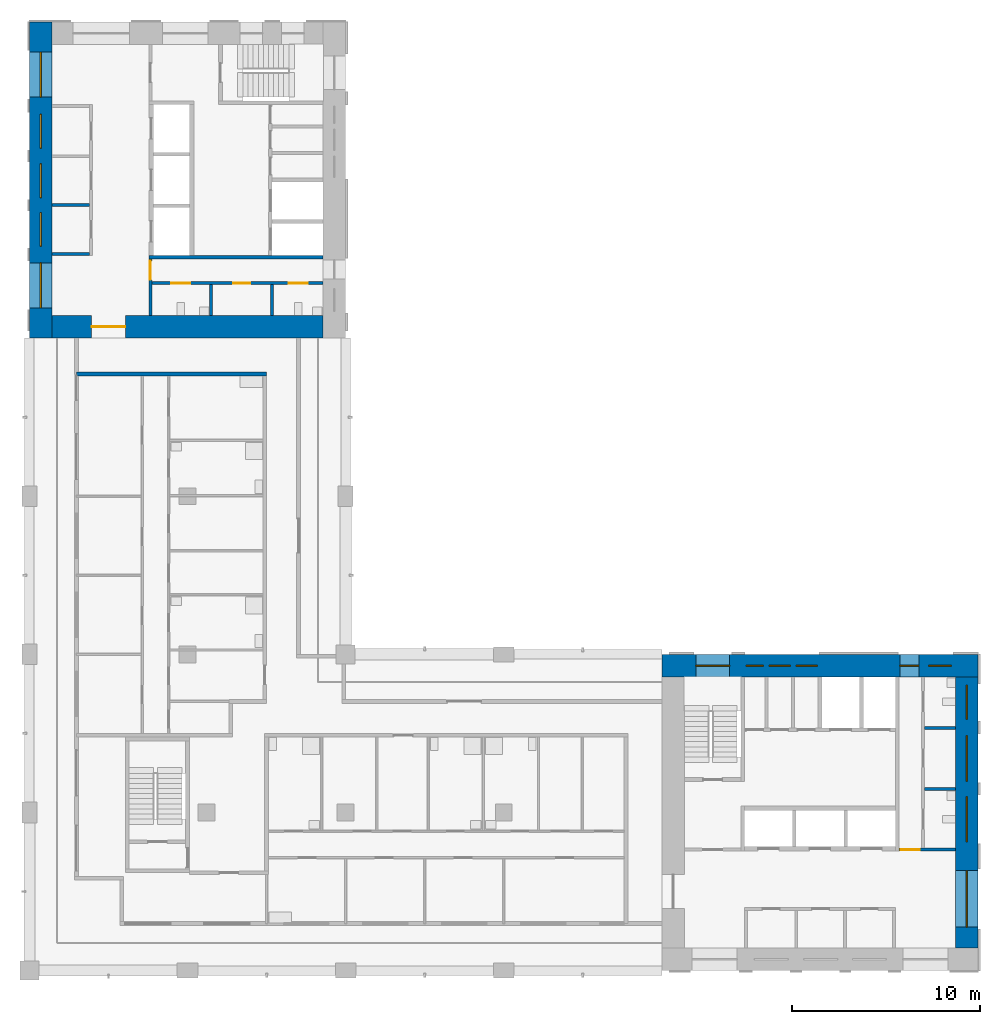
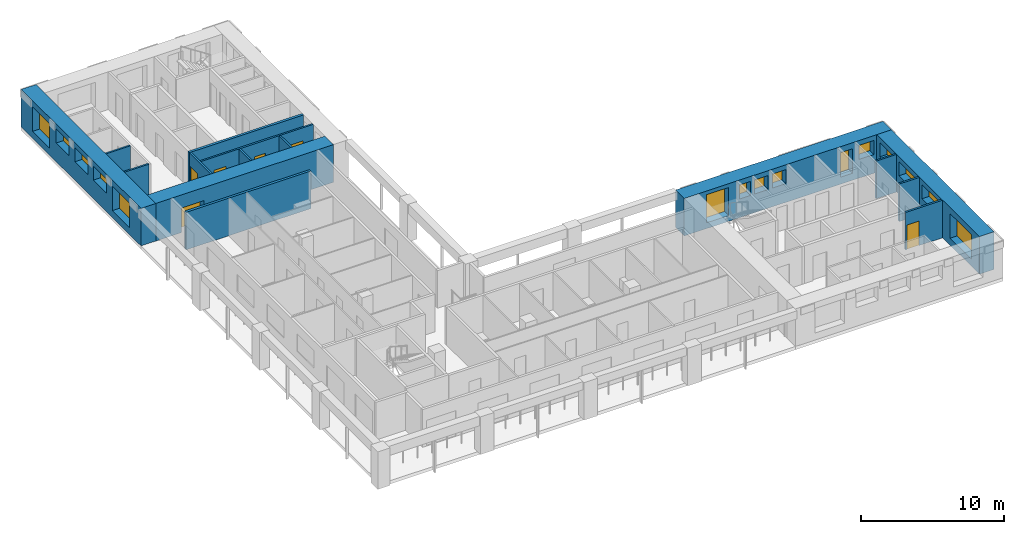
# One storey, part 5 of 10: 15 walls, 15 windows, 6 doors, 21 openings.
"""IFC4 building model written with IfcOpenShell, lengths in metres."""

import ifcopenshell
import ifcopenshell.guid

model = None  # the IFC model being written
_history = None  # IfcOwnerHistory: only IFC2X3 demands one
_inside = {}  # id of a spatial element -> (the spatial element, [elements in it])
_under = {}  # id of a project, library or spatial element -> (it, [spatial elements below it])
_declared = {}  # id of a project -> (the project, [libraries it declares])
_typed = {}  # id of a type object -> (the type object, [elements of that type])
_made_of = {}  # id of a material, layer set ... -> (it, [elements and type objects made of it])


def new_model(schema):
    """Start an empty IFC model of exactly this schema.

    Asked for "IFC4X3", IfcOpenShell would pick the latest addendum, in which some entities
    have other attributes; the version numbers below select the first issue.
    IFC2X3 requires an IfcOwnerHistory on every rooted entity: one is made here for all.
    """
    global model, _history
    if schema == "IFC4X3":
        model = ifcopenshell.file(schema_version=(4, 3, 0, 0))
    else:
        model = ifcopenshell.file(schema=schema)
    _inside.clear()
    _under.clear()
    _declared.clear()
    _typed.clear()
    _made_of.clear()
    _history = None
    if model.schema == "IFC2X3":
        org = make("IfcOrganization", Name="unknown")
        user = make(
            "IfcPersonAndOrganization",
            ThePerson=make("IfcPerson", FamilyName="unknown"),
            TheOrganization=org,
        )
        app = make(
            "IfcApplication",
            ApplicationDeveloper=org,
            Version="unknown",
            ApplicationFullName="unknown",
            ApplicationIdentifier="unknown",
        )
        _history = make(
            "IfcOwnerHistory",
            OwningUser=user,
            OwningApplication=app,
            ChangeAction="ADDED",
            CreationDate=0,
        )
    return model


def make(cls, **values):
    """One entity of the class cls with the attributes given. An attribute that is None is left unset."""
    return model.create_entity(
        cls, **{name: value for name, value in values.items() if value is not None}
    )


def rooted(cls, **values):
    """An entity with a GlobalId (a new one), such as an element, a storey or a relation."""
    return make(cls, GlobalId=ifcopenshell.guid.new(), OwnerHistory=_history, **values)


def si_unit(unit_type, name, prefix=None):
    """IfcSIUnit, for example si_unit("LENGTHUNIT", "METRE", prefix="MILLI")."""
    return make("IfcSIUnit", UnitType=unit_type, Prefix=prefix, Name=name)


def assignment(units):
    """IfcUnitAssignment: the units of a project."""
    return None if units is None else make("IfcUnitAssignment", Units=units)


def point(xyz):
    """IfcCartesianPoint."""
    return None if xyz is None else make("IfcCartesianPoint", Coordinates=xyz)


def direction(xyz):
    """IfcDirection."""
    return None if xyz is None else make("IfcDirection", DirectionRatios=xyz)


def frame(location, z_axis=None, x_axis=None):
    """IfcAxis2Placement3D, a coordinate frame: its origin and axes. An axis left out is left unset."""
    return make(
        "IfcAxis2Placement3D",
        Location=point(location),
        Axis=direction(z_axis),
        RefDirection=direction(x_axis),
    )


def frame_2d(location, x_axis=None):
    """IfcAxis2Placement2D, a coordinate frame in the plane: its origin and x axis."""
    return make(
        "IfcAxis2Placement2D", Location=point(location), RefDirection=direction(x_axis)
    )


def origin():
    """The frame at (0, 0, 0) with its axes left unset."""
    return frame((0.0, 0.0, 0.0))


def place(relative_to, where):
    """IfcLocalPlacement: puts the frame where relative to a parent placement (None: the world)."""
    return make(
        "IfcLocalPlacement", PlacementRelTo=relative_to, RelativePlacement=where
    )


def context(
    kind, dimensions, precision=None, world=None, true_north=None, identifier=None
):
    """IfcGeometricRepresentationContext, for example the 3D "Model" context."""
    return make(
        "IfcGeometricRepresentationContext",
        ContextIdentifier=identifier,
        ContextType=kind,
        CoordinateSpaceDimension=dimensions,
        Precision=precision,
        WorldCoordinateSystem=world,
        TrueNorth=true_north,
    )


def subcontext(parent, identifier, kind, view, scale=None):
    """IfcGeometricRepresentationSubContext, for example "Body" below "Model"."""
    return make(
        "IfcGeometricRepresentationSubContext",
        ContextIdentifier=identifier,
        ContextType=kind,
        ParentContext=parent,
        TargetScale=scale,
        TargetView=view,
    )


def project(units=None, contexts=None):
    """IfcProject with its units and contexts."""
    return rooted(
        "IfcProject",
        Name="project",
        RepresentationContexts=contexts,
        UnitsInContext=assignment(units),
    )


def spatial(cls, under=None, at=None, **own):
    """A site, building, storey or space (cls), placed at a placement, below another one or the project."""
    s = rooted(cls, ObjectPlacement=at, **own)
    if under is not None:
        _under.setdefault(under.id(), (under, []))[1].append(s)
    return s


def profile(cls, at=None, kind="AREA", **sizes):
    """A parametric profile (cls). Its sizes go by their IFC names, for example OverallWidth=200.0."""
    return make(cls, ProfileType=kind, Position=at, **sizes)


def rectangle(**sizes):
    """IfcRectangleProfileDef."""
    return profile("IfcRectangleProfileDef", **sizes)


def extrude(swept, where, along, depth):
    """IfcExtrudedAreaSolid: the profile swept, set in the frame where, extruded along a direction by depth."""
    return make(
        "IfcExtrudedAreaSolid",
        SweptArea=swept,
        Position=where,
        ExtrudedDirection=direction(along),
        Depth=depth,
    )


def shape(context_of_items, identifier, shape_type, items):
    """IfcShapeRepresentation: the items that make up one representation, for example the "Body"."""
    return make(
        "IfcShapeRepresentation",
        ContextOfItems=context_of_items,
        RepresentationIdentifier=identifier,
        RepresentationType=shape_type,
        Items=items,
    )


def material(Name=None, Category=None):
    """IfcMaterial."""
    return make("IfcMaterial", Name=Name, Category=Category)


def layer(
    of_material, thickness, ventilated=None, Name=None, Category=None, Priority=None
):
    """IfcMaterialLayer: one layer of a wall or slab, of a material (None: an air gap)."""
    return make(
        "IfcMaterialLayer",
        Material=of_material,
        LayerThickness=thickness,
        IsVentilated=ventilated,
        Name=Name,
        Category=Category,
        Priority=Priority,
    )


def layer_set(layers, Name=None):
    """IfcMaterialLayerSet."""
    return make("IfcMaterialLayerSet", MaterialLayers=layers, LayerSetName=Name)


def made_of(thing, what):
    """Note that an element or type object is made of a material, layer set ...; save() writes the relation."""
    if what is not None:
        _made_of.setdefault(what.id(), (what, []))[1].append(thing)
    return thing


def type_object(cls, material=None, **own):
    """A type object (cls), such as IfcWallType, which elements share."""
    return made_of(rooted(cls, **own), material)


def element(
    cls,
    number,
    at=None,
    inside=None,
    cuts=None,
    type_object=None,
    material=None,
    context=None,
    identifier="Body",
    shape_type=None,
    held_by="IfcProductDefinitionShape",
    body=None,
    shapes=None,
    **own,
):
    """One element of the class cls, such as IfcWall. Its Tag is "e" and its number.

    at: its placement. inside: the storey or other place that contains it. cuts: it is an
    opening in that element (IfcRelVoidsElement). A single representation is given by context,
    identifier, shape_type and body (its items); several are given by shapes. held_by: the class
    of the entity that holds the representations. save() writes the other relations.
    """
    e = rooted(cls, Tag="e%d" % number, ObjectPlacement=at, **own)
    if body is not None:
        shapes = [shape(context, identifier, shape_type, body)]
    if shapes is not None:
        e.Representation = make(held_by, Representations=shapes)
    if inside is not None:
        _inside.setdefault(inside.id(), (inside, []))[1].append(e)
    if cuts is not None:
        rooted(
            "IfcRelVoidsElement", RelatingBuildingElement=cuts, RelatedOpeningElement=e
        )
    if type_object is not None:
        _typed.setdefault(type_object.id(), (type_object, []))[1].append(e)
    return made_of(e, material)


def fill(opening, filler):
    """IfcRelFillsElement: the door or window that sits in an opening."""
    return rooted(
        "IfcRelFillsElement",
        RelatingOpeningElement=opening,
        RelatedBuildingElement=filler,
    )


def aggregate(whole, parts):
    """IfcRelAggregates: a whole, such as a stair, and the parts it consists of."""
    return rooted("IfcRelAggregates", RelatingObject=whole, RelatedObjects=parts)


def save(model, path):
    """Write the relations noted so far, then the file.

    IfcRelAggregates (storeys below a building ...), IfcRelContainedInSpatialStructure (elements
    in a storey), IfcRelDefinesByType, IfcRelAssociatesMaterial and IfcRelDeclares: one each for
    every whole, place, type object, material and project.
    """
    for whole, parts in _under.values():
        aggregate(whole, parts)
    for where, things in _inside.values():
        rooted(
            "IfcRelContainedInSpatialStructure",
            RelatedElements=things,
            RelatingStructure=where,
        )
    for kind, things in _typed.values():
        rooted("IfcRelDefinesByType", RelatedObjects=things, RelatingType=kind)
    for what, things in _made_of.values():
        rooted("IfcRelAssociatesMaterial", RelatedObjects=things, RelatingMaterial=what)
    for by, libraries in _declared.values():
        rooted("IfcRelDeclares", RelatingContext=by, RelatedDefinitions=libraries)
    model.write(path)


model = new_model("IFC4")

# Units and contexts
model_context = context("Model", 3, precision=1e-05, world=origin(), true_north=direction((0.0, 1.0)))
body_context = subcontext(model_context, "Body", "Model", "MODEL_VIEW")
ifc_project = project(units=[si_unit("LENGTHUNIT", "METRE"), si_unit("AREAUNIT", "SQUARE_METRE"), si_unit("VOLUMEUNIT", "CUBIC_METRE"), si_unit("PLANEANGLEUNIT", "RADIAN"), si_unit("MASSUNIT", "GRAM", prefix="KILO")], contexts=[model_context])

# Site, building, storey
site_placement = place(None, origin())
site = spatial("IfcSite", under=ifc_project, at=site_placement, CompositionType="ELEMENT")
building_placement = place(site_placement, origin())
building = spatial("IfcBuilding", under=site, at=building_placement, Name="Vermilion Gate Residences", CompositionType="ELEMENT")
storey_placement = place(building_placement, frame((0.0, 0.0, 270.199951171875)))
storey = spatial("IfcBuildingStorey", under=building, at=storey_placement, Name="L71", CompositionType="ELEMENT", Elevation=270.199951171875)

# Wall, opening, door
ifc_material_1 = material(Name="Masonry blockwork", Category="masonry")
ifc_layer_1 = layer(ifc_material_1, 0.14990234375)
ifc_layer_set_1 = layer_set([ifc_layer_1], Name="BLOCKWORK PARTITION 150 EI 120")
wall_type_1 = type_object("IfcWallType", Name="BLOCKWORK PARTITION 150 EI 120", PredefinedType="PARTITIONING", material=ifc_layer_set_1)
wall_1_placement = place(storey_placement, frame((54.60009765625, 14.824951171875, 0.0), z_axis=(0.0, 0.0, 1.0), x_axis=(1.0, 0.0, 0.0)))
wall_1 = element("IfcWall", 1, at=wall_1_placement, inside=storey, type_object=wall_type_1, Name="Core room partition A71-ES-S", PredefinedType="PARTITIONING", context=body_context, shape_type="SweptSolid", body=[
    extrude(rectangle(XDim=3.0, YDim=0.14990234375, at=frame_2d((1.5, 0.0))), origin(), (0.0, 0.0, 1.0), 3.219970703125),
])
opening_1_placement = place(wall_1_placement, frame((0.10009765625, 0.0, 0.0)))
opening_1 = element("IfcOpeningElement", 2, at=opening_1_placement, cuts=wall_1, Name="Opening DK71015", PredefinedType="OPENING", context=body_context, shape_type="SweptSolid", body=[
    extrude(rectangle(XDim=1.0, YDim=2.10009765625, at=frame_2d((0.5, 1.050048828125))), frame((0.0, 0.0849609375, 0.0), z_axis=(0.0, -1.0, 0.0), x_axis=(1.0, 0.0, 0.0)), (0.0, 0.0, 1.0), 0.169921875),
])
ifc_material_2 = material(Name="Steel", Category="steel")
door_type_1 = type_object("IfcDoorType", Name="FIRE DOOR FD60 1000 X 2100", OperationType="SINGLE_SWING_LEFT", PredefinedType="DOOR", material=ifc_material_2)
door_1_placement = place(opening_1_placement, frame((1.0, 0.0, 0.0), z_axis=(0.0, 0.0, 1.0), x_axis=(-1.0, 0.0, 0.0)))
door_1 = element("IfcDoor", 3, at=door_1_placement, inside=storey, type_object=door_type_1, Name="Service corridor door A71", OperationType="SINGLE_SWING_LEFT", OverallHeight=2.10009765625, OverallWidth=1.0, PredefinedType="DOOR", context=body_context, shape_type="SweptSolid", body=[
    extrude(rectangle(XDim=1.0, YDim=2.10009765625, at=frame_2d((0.5, 1.050048828125))), frame((0.0, 0.02490234375, 0.0), z_axis=(0.0, -1.0, 0.0), x_axis=(1.0, 0.0, 0.0)), (0.0, 0.0, 1.0), 0.050048828125),
])
fill(opening_1, door_1)

# Walls
for number, where, z_axis, x_axis, name in (
    (4, (55.949951171875, 18.054931640625, 0.0), (0.0, 0.0, 1.0), (1.0, 0.0, 0.0), "Core room partition A71-ES-P0"),
    (5, (55.949951171875, 21.284912109375, 0.0), (0.0, 0.0, 1.0), (1.0, 0.0, 0.0), "Core room partition A71-ES-P1"),
):
    element("IfcWall", number, at=place(storey_placement, frame(where, z_axis=z_axis, x_axis=x_axis)), inside=storey, type_object=wall_type_1, Name=name, PredefinedType="PARTITIONING", context=body_context, shape_type="SweptSolid", body=[
        extrude(rectangle(XDim=1.650146484375, YDim=0.14990234375, at=frame_2d((0.8251953125, 0.0))), origin(), (0.0, 0.0, 1.0), 3.219970703125),
    ])
for number, where, z_axis, x_axis, name in (
    (6, (9.60009765625, 46.47509765625, 0.0), (0.0, 0.0, 1.0), (1.0, 0.0, 0.0), "Core room partition B71-RW-E"),
    (7, (9.60009765625, 49.06689453125, 0.0), (0.0, 0.0, 1.0), (1.0, 0.0, 0.0), "Core room partition B71-SR-P1"),
):
    element("IfcWall", number, at=place(storey_placement, frame(where, z_axis=z_axis, x_axis=x_axis)), inside=storey, type_object=wall_type_1, Name=name, PredefinedType="PARTITIONING", context=body_context, shape_type="SweptSolid", body=[
        extrude(rectangle(XDim=2.0, YDim=0.14990234375, at=frame_2d((1.0, 0.0))), origin(), (0.0, 0.0, 1.0), 3.219970703125),
    ])

# Wall, opening, door
wall_2_placement = place(storey_placement, frame((14.824951171875, 46.199951171875, 0.0), z_axis=(0.0, 0.0, 1.0), x_axis=(0.0, -1.0, 0.0)))
wall_2 = element("IfcWall", 8, at=wall_2_placement, inside=storey, type_object=wall_type_1, Name="Core room partition B71-ES-S", PredefinedType="PARTITIONING", context=body_context, shape_type="SweptSolid", body=[
    extrude(rectangle(XDim=3.0, YDim=0.14990234375, at=frame_2d((1.5, 0.0))), origin(), (0.0, 0.0, 1.0), 3.219970703125),
])
opening_2_placement = place(wall_2_placement, frame((0.10009765625, 0.0, 0.0)))
opening_2 = element("IfcOpeningElement", 9, at=opening_2_placement, cuts=wall_2, Name="Opening DK71115", PredefinedType="OPENING", context=body_context, shape_type="SweptSolid", body=[
    extrude(rectangle(XDim=1.0, YDim=2.10009765625, at=frame_2d((0.5, 1.050048828125))), frame((0.0, 0.0849609375, 0.0), z_axis=(0.0, -1.0, 0.0), x_axis=(1.0, 0.0, 0.0)), (0.0, 0.0, 1.0), 0.169921875),
])
door_2_placement = place(opening_2_placement, frame((1.0, 0.0, 0.0), z_axis=(0.0, 0.0, 1.0), x_axis=(-1.0, 0.0, 0.0)))
door_2 = element("IfcDoor", 10, at=door_2_placement, inside=storey, type_object=door_type_1, Name="Service corridor door B71", OperationType="SINGLE_SWING_LEFT", OverallHeight=2.10009765625, OverallWidth=1.0, PredefinedType="DOOR", context=body_context, shape_type="SweptSolid", body=[
    extrude(rectangle(XDim=1.0, YDim=2.10009765625, at=frame_2d((0.5, 1.050048828125))), frame((0.0, 0.02490234375, 0.0), z_axis=(0.0, -1.0, 0.0), x_axis=(1.0, 0.0, 0.0)), (0.0, 0.0, 1.0), 0.050048828125),
])
fill(opening_2, door_2)

# Walls
for number, where, z_axis, x_axis, name in (
    (11, (18.054931640625, 44.85009765625, 0.0), (0.0, 0.0, 1.0), (0.0, -1.0, 0.0), "Core room partition B71-ES-P0"),
    (12, (21.284912109375, 44.85009765625, 0.0), (0.0, 0.0, 1.0), (0.0, -1.0, 0.0), "Core room partition B71-ES-P1"),
):
    element("IfcWall", number, at=place(storey_placement, frame(where, z_axis=z_axis, x_axis=x_axis)), inside=storey, type_object=wall_type_1, Name=name, PredefinedType="PARTITIONING", context=body_context, shape_type="SweptSolid", body=[
        extrude(rectangle(XDim=1.650146484375, YDim=0.14990234375, at=frame_2d((0.8251953125, 0.0))), origin(), (0.0, 0.0, 1.0), 3.219970703125),
    ])

# Wall, openings, doors
wall_3_placement = place(storey_placement, frame((14.89990234375, 44.925048828125, 0.0), z_axis=(0.0, 0.0, 1.0), x_axis=(1.0, 0.0, 0.0)))
wall_3 = element("IfcWall", 13, at=wall_3_placement, inside=storey, type_object=wall_type_1, Name="Core room partition B71-ES-W", PredefinedType="PARTITIONING", context=body_context, shape_type="SweptSolid", body=[
    extrude(rectangle(XDim=9.10009765625, YDim=0.14990234375, at=frame_2d((4.550048828125, 0.0))), origin(), (0.0, 0.0, 1.0), 3.219970703125),
])
opening_3_placement = place(wall_3_placement, frame((1.0400390625, 0.0, 0.0)))
opening_3 = element("IfcOpeningElement", 14, at=opening_3_placement, cuts=wall_3, Name="Opening DK71116", PredefinedType="OPENING", context=body_context, shape_type="SweptSolid", body=[
    extrude(rectangle(XDim=1.0, YDim=2.10009765625, at=frame_2d((0.5, 1.050048828125))), frame((0.0, 0.0849609375, 0.0), z_axis=(0.0, -1.0, 0.0), x_axis=(1.0, 0.0, 0.0)), (0.0, 0.0, 1.0), 0.169921875),
])
opening_4_placement = place(wall_3_placement, frame((4.320068359375, 0.0, 0.0)))
opening_4 = element("IfcOpeningElement", 15, at=opening_4_placement, cuts=wall_3, Name="Opening DK71117", PredefinedType="OPENING", context=body_context, shape_type="SweptSolid", body=[
    extrude(rectangle(XDim=0.89990234375, YDim=2.10009765625, at=frame_2d((0.449951171875, 1.050048828125))), frame((0.0, 0.0849609375, 0.0), z_axis=(0.0, -1.0, 0.0), x_axis=(1.0, 0.0, 0.0)), (0.0, 0.0, 1.0), 0.169921875),
])
opening_5_placement = place(wall_3_placement, frame((7.280029296875, 0.0, 0.0)))
opening_5 = element("IfcOpeningElement", 16, at=opening_5_placement, cuts=wall_3, Name="Opening DK71118", PredefinedType="OPENING", context=body_context, shape_type="SweptSolid", body=[
    extrude(rectangle(XDim=1.0, YDim=2.10009765625, at=frame_2d((0.5, 1.050048828125))), frame((0.0, 0.0849609375, 0.0), z_axis=(0.0, -1.0, 0.0), x_axis=(1.0, 0.0, 0.0)), (0.0, 0.0, 1.0), 0.169921875),
])
door_3_placement = place(opening_3_placement, frame((1.0, 0.0, 0.0), z_axis=(0.0, 0.0, 1.0), x_axis=(-1.0, 0.0, 0.0)))
door_3 = element("IfcDoor", 17, at=door_3_placement, inside=storey, type_object=door_type_1, Name="Accessible WC B71", OperationType="SINGLE_SWING_LEFT", OverallHeight=2.10009765625, OverallWidth=1.0, PredefinedType="DOOR", context=body_context, shape_type="SweptSolid", body=[
    extrude(rectangle(XDim=1.0, YDim=2.10009765625, at=frame_2d((0.5, 1.050048828125))), frame((0.0, 0.02490234375, 0.0), z_axis=(0.0, -1.0, 0.0), x_axis=(1.0, 0.0, 0.0)), (0.0, 0.0, 1.0), 0.050048828125),
])
fill(opening_3, door_3)
door_4_placement = place(opening_5_placement, frame((1.0, 0.0, 0.0), z_axis=(0.0, 0.0, 1.0), x_axis=(-1.0, 0.0, 0.0)))
door_4 = element("IfcDoor", 18, at=door_4_placement, inside=storey, type_object=door_type_1, Name="Accessible WC B71", OperationType="SINGLE_SWING_RIGHT", OverallHeight=2.10009765625, OverallWidth=1.0, PredefinedType="DOOR", context=body_context, shape_type="SweptSolid", body=[
    extrude(rectangle(XDim=1.0, YDim=2.10009765625, at=frame_2d((0.5, 1.050048828125))), frame((0.0, 0.02490234375, 0.0), z_axis=(0.0, -1.0, 0.0), x_axis=(1.0, 0.0, 0.0)), (0.0, 0.0, 1.0), 0.050048828125),
])
fill(opening_5, door_4)
ifc_material_3 = material(Name="Steel", Category="steel")
door_type_2 = type_object("IfcDoorType", Name="SERVICE ROOM DOOR FD60 900 X 2100", OperationType="SINGLE_SWING_LEFT", PredefinedType="DOOR", material=ifc_material_3)
door_5_placement = place(opening_4_placement, frame((0.89990234375, 0.0, 0.0), z_axis=(0.0, 0.0, 1.0), x_axis=(-1.0, 0.0, 0.0)))
door_5 = element("IfcDoor", 19, at=door_5_placement, inside=storey, type_object=door_type_2, Name="Communications room B71", OperationType="SINGLE_SWING_RIGHT", OverallHeight=2.10009765625, OverallWidth=0.89990234375, PredefinedType="DOOR", context=body_context, shape_type="SweptSolid", body=[
    extrude(rectangle(XDim=0.89990234375, YDim=2.10009765625, at=frame_2d((0.449951171875, 1.050048828125))), frame((0.0, 0.02490234375, 0.0), z_axis=(0.0, -1.0, 0.0), x_axis=(1.0, 0.0, 0.0)), (0.0, 0.0, 1.0), 0.050048828125),
])
fill(opening_4, door_5)

# Walls
ifc_material_4 = material(Name="Fire-rated plasterboard on steel studs", Category="steel")
ifc_layer_2 = layer(ifc_material_4, 0.199951171875)
ifc_layer_set_2 = layer_set([ifc_layer_2], Name="PARTY WALL 200 EI 120")
wall_type_2 = type_object("IfcWallType", Name="PARTY WALL 200 EI 120", PredefinedType="PARTITIONING", material=ifc_layer_set_2)
wall_4_placement = place(storey_placement, frame((10.89990234375, 40.10009765625, 0.0), z_axis=(0.0, 0.0, 1.0), x_axis=(1.0, 0.0, 0.0)))
element("IfcWall", 20, at=wall_4_placement, inside=storey, type_object=wall_type_2, Name="Party and corridor wall", PredefinedType="PARTITIONING", context=body_context, shape_type="SweptSolid", body=[
    extrude(rectangle(XDim=10.10009765625, YDim=0.199951171875, at=frame_2d((5.050048828125, 0.0))), origin(), (0.0, 0.0, 1.0), 3.219970703125),
])
ifc_material_5 = material(Name="Concrete C60", Category="concrete")
ifc_layer_3 = layer(ifc_material_5, 0.199951171875)
ifc_layer_set_3 = layer_set([ifc_layer_3], Name="RC CORE INTERNAL WALL 200 C60")
wall_type_3 = type_object("IfcWallType", Name="RC CORE INTERNAL WALL 200 C60", PredefinedType="SHEAR", material=ifc_layer_set_3)
wall_5_placement = place(storey_placement, frame((14.75, 46.300048828125, 0.0), z_axis=(0.0, 0.0, 1.0), x_axis=(1.0, 0.0, 0.0)))
element("IfcWall", 21, at=wall_5_placement, inside=storey, type_object=wall_type_3, Name="Core internal wall B71-EDIV", PredefinedType="SHEAR", context=body_context, shape_type="SweptSolid", body=[
    extrude(rectangle(XDim=9.25, YDim=0.199951171875, at=frame_2d((4.625, 0.0))), origin(), (0.0, 0.0, 1.0), 3.219970703125),
])

# Wall, opening, door
ifc_material_6 = material(Name="Concrete C50", Category="concrete")
ifc_layer_4 = layer(ifc_material_6, 1.199951171875)
ifc_layer_set_4 = layer_set([ifc_layer_4], Name="RC CORE WALL 1200 C50")
wall_type_4 = type_object("IfcWallType", Name="RC CORE WALL 1200 C50", PredefinedType="SHEAR", material=ifc_layer_set_4)
wall_6_placement = place(storey_placement, frame((9.60009765625, 42.60009765625, 0.0), z_axis=(0.0, 0.0, 1.0), x_axis=(1.0, 0.0, 0.0)))
wall_6 = element("IfcWall", 22, at=wall_6_placement, inside=storey, type_object=wall_type_4, Name="Core wall B71-OUT-BK", PredefinedType="SHEAR", context=body_context, shape_type="SweptSolid", body=[
    extrude(rectangle(XDim=14.39990234375, YDim=1.199951171875, at=frame_2d((7.199951171875, 0.0))), origin(), (0.0, 0.0, 1.0), 3.219970703125),
])
opening_6_placement = place(wall_6_placement, frame((2.10009765625, 0.0, 0.0)))
opening_6 = element("IfcOpeningElement", 23, at=opening_6_placement, cuts=wall_6, Name="Opening DK71101", PredefinedType="OPENING", context=body_context, shape_type="SweptSolid", body=[
    extrude(rectangle(XDim=1.800048828125, YDim=2.10009765625, at=frame_2d((0.89990234375, 1.050048828125))), frame((0.0, 0.60986328125, 0.0), z_axis=(0.0, -1.0, 0.0), x_axis=(1.0, 0.0, 0.0)), (0.0, 0.0, 1.0), 1.219970703125),
])
ifc_material_7 = material(Name="Steel", Category="steel")
door_type_3 = type_object("IfcDoorType", Name="CORE LOBBY DOOR FD60 1800 X 2100", OperationType="DOUBLE_DOOR_SINGLE_SWING", PredefinedType="DOOR", material=ifc_material_7)
door_6_placement = place(opening_6_placement, frame((1.800048828125, 0.0, 0.0), z_axis=(0.0, 0.0, 1.0), x_axis=(-1.0, 0.0, 0.0)))
door_6 = element("IfcDoor", 24, at=door_6_placement, inside=storey, type_object=door_type_3, Name="Core lobby door B71", OperationType="DOUBLE_DOOR_SINGLE_SWING", OverallHeight=2.10009765625, OverallWidth=1.800048828125, PredefinedType="DOOR", context=body_context, shape_type="SweptSolid", body=[
    extrude(rectangle(XDim=1.800048828125, YDim=2.10009765625, at=frame_2d((0.89990234375, 1.050048828125))), frame((0.0, 0.02490234375, 0.0), z_axis=(0.0, -1.0, 0.0), x_axis=(1.0, 0.0, 0.0)), (0.0, 0.0, 1.0), 0.050048828125),
])
fill(opening_6, door_6)

# Wall, openings, windows
ifc_material_8 = material(Name="Concrete C50 red-oxide pigmented", Category="concrete")
ifc_layer_5 = layer(ifc_material_8, 1.199951171875)
ifc_layer_set_5 = layer_set([ifc_layer_5], Name="RC CORE WALL 1200 C50 RED OXIDE")
wall_type_5 = type_object("IfcWallType", Name="RC CORE WALL 1200 C50 RED OXIDE", PredefinedType="SHEAR", material=ifc_layer_set_5)
wall_7_placement = place(storey_placement, frame((42.0, 24.60009765625, 0.0), z_axis=(0.0, 0.0, 1.0), x_axis=(1.0, 0.0, 0.0)))
wall_7 = element("IfcWall", 25, at=wall_7_placement, inside=storey, type_object=wall_type_5, Name="Core wall A71-OUT-B1", PredefinedType="SHEAR", context=body_context, shape_type="SweptSolid", body=[
    extrude(rectangle(XDim=16.800048828125, YDim=1.199951171875, at=frame_2d((8.39990234375, 0.0))), origin(), (0.0, 0.0, 1.0), 3.219970703125),
])
opening_7_placement = place(wall_7_placement, frame((1.800048828125, 0.0, 0.5)))
opening_7 = element("IfcOpeningElement", 26, at=opening_7_placement, cuts=wall_7, Name="Opening WKA7106", PredefinedType="OPENING", context=body_context, shape_type="SweptSolid", body=[
    extrude(rectangle(XDim=1.800048828125, YDim=2.39990234375, at=frame_2d((0.89990234375, 1.199951171875))), frame((0.0, 0.60986328125, 0.0), z_axis=(0.0, -1.0, 0.0), x_axis=(1.0, 0.0, 0.0)), (0.0, 0.0, 1.0), 1.219970703125),
])
opening_8_placement = place(wall_7_placement, frame((4.489990234375, 0.0, 1.60009765625)))
opening_8 = element("IfcOpeningElement", 27, at=opening_8_placement, cuts=wall_7, Name="Opening WKA7107", PredefinedType="OPENING", context=body_context, shape_type="SweptSolid", body=[
    extrude(rectangle(XDim=0.89990234375, YDim=1.199951171875, at=frame_2d((0.449951171875, 0.60009765625))), frame((0.0, 0.60986328125, 0.0), z_axis=(0.0, -1.0, 0.0), x_axis=(1.0, 0.0, 0.0)), (0.0, 0.0, 1.0), 1.219970703125),
])
opening_9_placement = place(wall_7_placement, frame((5.7099609375, 0.0, 1.60009765625)))
opening_9 = element("IfcOpeningElement", 28, at=opening_9_placement, cuts=wall_7, Name="Opening WKA7108", PredefinedType="OPENING", context=body_context, shape_type="SweptSolid", body=[
    extrude(rectangle(XDim=1.10009765625, YDim=1.199951171875, at=frame_2d((0.550048828125, 0.60009765625))), frame((0.0, 0.60986328125, 0.0), z_axis=(0.0, -1.0, 0.0), x_axis=(1.0, 0.0, 0.0)), (0.0, 0.0, 1.0), 1.219970703125),
])
opening_10_placement = place(wall_7_placement, frame((7.14990234375, 0.0, 1.60009765625)))
opening_10 = element("IfcOpeningElement", 29, at=opening_10_placement, cuts=wall_7, Name="Opening WKA7109", PredefinedType="OPENING", context=body_context, shape_type="SweptSolid", body=[
    extrude(rectangle(XDim=1.10009765625, YDim=1.199951171875, at=frame_2d((0.550048828125, 0.60009765625))), frame((0.0, 0.60986328125, 0.0), z_axis=(0.0, -1.0, 0.0), x_axis=(1.0, 0.0, 0.0)), (0.0, 0.0, 1.0), 1.219970703125),
])
opening_11_placement = place(wall_7_placement, frame((12.64990234375, 0.0, 0.60009765625)))
opening_11 = element("IfcOpeningElement", 30, at=opening_11_placement, cuts=wall_7, Name="Opening WKA7110", PredefinedType="OPENING", context=body_context, shape_type="SweptSolid", body=[
    extrude(rectangle(XDim=1.0, YDim=2.10009765625, at=frame_2d((0.5, 1.050048828125))), frame((0.0, 0.60986328125, 0.0), z_axis=(0.0, -1.0, 0.0), x_axis=(1.0, 0.0, 0.0)), (0.0, 0.0, 1.0), 1.219970703125),
])
opening_12_placement = place(wall_7_placement, frame((14.175048828125, 0.0, 1.60009765625)))
opening_12 = element("IfcOpeningElement", 31, at=opening_12_placement, cuts=wall_7, Name="Opening WKA7111", PredefinedType="OPENING", context=body_context, shape_type="SweptSolid", body=[
    extrude(rectangle(XDim=1.199951171875, YDim=1.199951171875, at=frame_2d((0.60009765625, 0.60009765625))), frame((0.0, 0.60986328125, 0.0), z_axis=(0.0, -1.0, 0.0), x_axis=(1.0, 0.0, 0.0)), (0.0, 0.0, 1.0), 1.219970703125),
])
ifc_material_9 = material(Name="Aluminium and clear glass", Category="aluminium")
window_type_1 = type_object("IfcWindowType", Name="CORE CORRIDOR WINDOW 1000 X 2100", PartitioningType="SINGLE_PANEL", PredefinedType="WINDOW", material=ifc_material_9)
window_1_placement = place(opening_11_placement, origin())
window_1 = element("IfcWindow", 32, at=window_1_placement, inside=storey, type_object=window_type_1, Name="Core corridor window", OverallHeight=2.10009765625, OverallWidth=1.0, PartitioningType="SINGLE_PANEL", PredefinedType="WINDOW", context=body_context, shape_type="SweptSolid", body=[
    extrude(rectangle(XDim=1.0, YDim=2.10009765625, at=frame_2d((0.5, 1.050048828125))), frame((0.0, 0.030029296875, 0.0), z_axis=(0.0, -1.0, 0.0), x_axis=(1.0, 0.0, 0.0)), (0.0, 0.0, 1.0), 0.06005859375),
])
fill(opening_11, window_1)
ifc_material_10 = material(Name="Aluminium frame with louvre blades", Category="aluminium")
window_type_2 = type_object("IfcWindowType", Name="CORE LOUVRE 1100 X 1200", PartitioningType="SINGLE_PANEL", PredefinedType="WINDOW", material=ifc_material_10)
window_2_placement = place(opening_9_placement, origin())
window_2 = element("IfcWindow", 33, at=window_2_placement, inside=storey, type_object=window_type_2, Name="Core louvre", OverallHeight=1.199951171875, OverallWidth=1.10009765625, PartitioningType="SINGLE_PANEL", PredefinedType="WINDOW", context=body_context, shape_type="SweptSolid", body=[
    extrude(rectangle(XDim=1.10009765625, YDim=1.199951171875, at=frame_2d((0.550048828125, 0.60009765625))), frame((0.0, 0.030029296875, 0.0), z_axis=(0.0, -1.0, 0.0), x_axis=(1.0, 0.0, 0.0)), (0.0, 0.0, 1.0), 0.06005859375),
])
fill(opening_9, window_2)
window_3_placement = place(opening_10_placement, origin())
window_3 = element("IfcWindow", 34, at=window_3_placement, inside=storey, type_object=window_type_2, Name="Core louvre", OverallHeight=1.199951171875, OverallWidth=1.10009765625, PartitioningType="SINGLE_PANEL", PredefinedType="WINDOW", context=body_context, shape_type="SweptSolid", body=[
    extrude(rectangle(XDim=1.10009765625, YDim=1.199951171875, at=frame_2d((0.550048828125, 0.60009765625))), frame((0.0, 0.030029296875, 0.0), z_axis=(0.0, -1.0, 0.0), x_axis=(1.0, 0.0, 0.0)), (0.0, 0.0, 1.0), 0.06005859375),
])
fill(opening_10, window_3)
ifc_material_11 = material(Name="Aluminium frame with louvre blades", Category="aluminium")
window_type_3 = type_object("IfcWindowType", Name="CORE LOUVRE 1200 X 1200", PartitioningType="SINGLE_PANEL", PredefinedType="WINDOW", material=ifc_material_11)
window_4_placement = place(opening_12_placement, origin())
window_4 = element("IfcWindow", 35, at=window_4_placement, inside=storey, type_object=window_type_3, Name="Core louvre", OverallHeight=1.199951171875, OverallWidth=1.199951171875, PartitioningType="SINGLE_PANEL", PredefinedType="WINDOW", context=body_context, shape_type="SweptSolid", body=[
    extrude(rectangle(XDim=1.199951171875, YDim=1.199951171875, at=frame_2d((0.60009765625, 0.60009765625))), frame((0.0, 0.030029296875, 0.0), z_axis=(0.0, -1.0, 0.0), x_axis=(1.0, 0.0, 0.0)), (0.0, 0.0, 1.0), 0.06005859375),
])
fill(opening_12, window_4)
ifc_material_12 = material(Name="Aluminium frame with louvre blades", Category="aluminium")
window_type_4 = type_object("IfcWindowType", Name="CORE LOUVRE 900 X 1200", PartitioningType="SINGLE_PANEL", PredefinedType="WINDOW", material=ifc_material_12)
window_5_placement = place(opening_8_placement, origin())
window_5 = element("IfcWindow", 36, at=window_5_placement, inside=storey, type_object=window_type_4, Name="Core louvre", OverallHeight=1.199951171875, OverallWidth=0.89990234375, PartitioningType="SINGLE_PANEL", PredefinedType="WINDOW", context=body_context, shape_type="SweptSolid", body=[
    extrude(rectangle(XDim=0.89990234375, YDim=1.199951171875, at=frame_2d((0.449951171875, 0.60009765625))), frame((0.0, 0.030029296875, 0.0), z_axis=(0.0, -1.0, 0.0), x_axis=(1.0, 0.0, 0.0)), (0.0, 0.0, 1.0), 0.06005859375),
])
fill(opening_8, window_5)
ifc_material_13 = material(Name="Aluminium and clear glass", Category="aluminium")
window_type_5 = type_object("IfcWindowType", Name="CORE STAIR WINDOW 1800 X 2400", PartitioningType="SINGLE_PANEL", PredefinedType="WINDOW", material=ifc_material_13)
window_6_placement = place(opening_7_placement, origin())
window_6 = element("IfcWindow", 37, at=window_6_placement, inside=storey, type_object=window_type_5, Name="Core stair window", OverallHeight=2.39990234375, OverallWidth=1.800048828125, PartitioningType="SINGLE_PANEL", PredefinedType="WINDOW", context=body_context, shape_type="SweptSolid", body=[
    extrude(rectangle(XDim=1.800048828125, YDim=2.39990234375, at=frame_2d((0.89990234375, 1.199951171875))), frame((0.0, 0.030029296875, 0.0), z_axis=(0.0, -1.0, 0.0), x_axis=(1.0, 0.0, 0.0)), (0.0, 0.0, 1.0), 0.06005859375),
])
fill(opening_7, window_6)

wall_8_placement = place(storey_placement, frame((58.199951171875, 9.60009765625, 0.0), z_axis=(0.0, 0.0, 1.0), x_axis=(0.0, 1.0, 0.0)))
wall_8 = element("IfcWall", 38, at=wall_8_placement, inside=storey, type_object=wall_type_5, Name="Core wall A71-OUT-BK", PredefinedType="SHEAR", context=body_context, shape_type="SweptSolid", body=[
    extrude(rectangle(XDim=14.39990234375, YDim=1.199951171875, at=frame_2d((7.199951171875, 0.0))), origin(), (0.0, 0.0, 1.0), 3.219970703125),
])
opening_13_placement = place(wall_8_placement, frame((1.10498046875, 0.0, 0.60009765625)))
opening_13 = element("IfcOpeningElement", 39, at=opening_13_placement, cuts=wall_8, Name="Opening WKA7112", PredefinedType="OPENING", context=body_context, shape_type="SweptSolid", body=[
    extrude(rectangle(XDim=3.0, YDim=2.10009765625, at=frame_2d((1.5, 1.050048828125))), frame((0.0, 0.60986328125, 0.0), z_axis=(0.0, -1.0, 0.0), x_axis=(1.0, 0.0, 0.0)), (0.0, 0.0, 1.0), 1.219970703125),
])
opening_14_placement = place(wall_8_placement, frame((5.639892578125, 0.0, 1.60009765625)))
opening_14 = element("IfcOpeningElement", 40, at=opening_14_placement, cuts=wall_8, Name="Opening WKA7113", PredefinedType="OPENING", context=body_context, shape_type="SweptSolid", body=[
    extrude(rectangle(XDim=2.39990234375, YDim=1.199951171875, at=frame_2d((1.199951171875, 0.60009765625))), frame((0.0, 0.60986328125, 0.0), z_axis=(0.0, -1.0, 0.0), x_axis=(1.0, 0.0, 0.0)), (0.0, 0.0, 1.0), 1.219970703125),
])
opening_15_placement = place(wall_8_placement, frame((8.8701171875, 0.0, 1.60009765625)))
opening_15 = element("IfcOpeningElement", 41, at=opening_15_placement, cuts=wall_8, Name="Opening WKA7114", PredefinedType="OPENING", context=body_context, shape_type="SweptSolid", body=[
    extrude(rectangle(XDim=2.39990234375, YDim=1.199951171875, at=frame_2d((1.199951171875, 0.60009765625))), frame((0.0, 0.60986328125, 0.0), z_axis=(0.0, -1.0, 0.0), x_axis=(1.0, 0.0, 0.0)), (0.0, 0.0, 1.0), 1.219970703125),
])
opening_16_placement = place(wall_8_placement, frame((12.14990234375, 0.0, 1.60009765625)))
opening_16 = element("IfcOpeningElement", 42, at=opening_16_placement, cuts=wall_8, Name="Opening WKA7115", PredefinedType="OPENING", context=body_context, shape_type="SweptSolid", body=[
    extrude(rectangle(XDim=1.800048828125, YDim=1.199951171875, at=frame_2d((0.89990234375, 0.60009765625))), frame((0.0, 0.60986328125, 0.0), z_axis=(0.0, -1.0, 0.0), x_axis=(1.0, 0.0, 0.0)), (0.0, 0.0, 1.0), 1.219970703125),
])
ifc_material_14 = material(Name="Aluminium and clear glass", Category="aluminium")
window_type_6 = type_object("IfcWindowType", Name="CORE LOBBY WINDOW 3000 X 2100", PartitioningType="SINGLE_PANEL", PredefinedType="WINDOW", material=ifc_material_14)
window_7_placement = place(opening_13_placement, origin())
window_7 = element("IfcWindow", 43, at=window_7_placement, inside=storey, type_object=window_type_6, Name="Core lobby window", OverallHeight=2.10009765625, OverallWidth=3.0, PartitioningType="SINGLE_PANEL", PredefinedType="WINDOW", context=body_context, shape_type="SweptSolid", body=[
    extrude(rectangle(XDim=3.0, YDim=2.10009765625, at=frame_2d((1.5, 1.050048828125))), frame((0.0, 0.030029296875, 0.0), z_axis=(0.0, -1.0, 0.0), x_axis=(1.0, 0.0, 0.0)), (0.0, 0.0, 1.0), 0.06005859375),
])
fill(opening_13, window_7)
ifc_material_15 = material(Name="Aluminium frame with louvre blades", Category="aluminium")
window_type_7 = type_object("IfcWindowType", Name="CORE LOUVRE 1800 X 1200", PartitioningType="SINGLE_PANEL", PredefinedType="WINDOW", material=ifc_material_15)
window_8_placement = place(opening_16_placement, origin())
window_8 = element("IfcWindow", 44, at=window_8_placement, inside=storey, type_object=window_type_7, Name="Core louvre", OverallHeight=1.199951171875, OverallWidth=1.800048828125, PartitioningType="SINGLE_PANEL", PredefinedType="WINDOW", context=body_context, shape_type="SweptSolid", body=[
    extrude(rectangle(XDim=1.800048828125, YDim=1.199951171875, at=frame_2d((0.89990234375, 0.60009765625))), frame((0.0, 0.030029296875, 0.0), z_axis=(0.0, -1.0, 0.0), x_axis=(1.0, 0.0, 0.0)), (0.0, 0.0, 1.0), 0.06005859375),
])
fill(opening_16, window_8)
ifc_material_16 = material(Name="Aluminium frame with louvre blades", Category="aluminium")
window_type_8 = type_object("IfcWindowType", Name="CORE LOUVRE 2400 X 1200", PartitioningType="SINGLE_PANEL", PredefinedType="WINDOW", material=ifc_material_16)
window_9_placement = place(opening_14_placement, origin())
window_9 = element("IfcWindow", 45, at=window_9_placement, inside=storey, type_object=window_type_8, Name="Core louvre", OverallHeight=1.199951171875, OverallWidth=2.39990234375, PartitioningType="SINGLE_PANEL", PredefinedType="WINDOW", context=body_context, shape_type="SweptSolid", body=[
    extrude(rectangle(XDim=2.39990234375, YDim=1.199951171875, at=frame_2d((1.199951171875, 0.60009765625))), frame((0.0, 0.030029296875, 0.0), z_axis=(0.0, -1.0, 0.0), x_axis=(1.0, 0.0, 0.0)), (0.0, 0.0, 1.0), 0.06005859375),
])
fill(opening_14, window_9)
window_10_placement = place(opening_15_placement, origin())
window_10 = element("IfcWindow", 46, at=window_10_placement, inside=storey, type_object=window_type_8, Name="Core louvre", OverallHeight=1.199951171875, OverallWidth=2.39990234375, PartitioningType="SINGLE_PANEL", PredefinedType="WINDOW", context=body_context, shape_type="SweptSolid", body=[
    extrude(rectangle(XDim=2.39990234375, YDim=1.199951171875, at=frame_2d((1.199951171875, 0.60009765625))), frame((0.0, 0.030029296875, 0.0), z_axis=(0.0, -1.0, 0.0), x_axis=(1.0, 0.0, 0.0)), (0.0, 0.0, 1.0), 0.06005859375),
])
fill(opening_15, window_10)

wall_9_placement = place(storey_placement, frame((9.0, 58.800048828125, 0.0), z_axis=(0.0, 0.0, 1.0), x_axis=(0.0, -1.0, 0.0)))
wall_9 = element("IfcWall", 47, at=wall_9_placement, inside=storey, type_object=wall_type_5, Name="Core wall B71-OUT-B0", PredefinedType="SHEAR", context=body_context, shape_type="SweptSolid", body=[
    extrude(rectangle(XDim=16.800048828125, YDim=1.199951171875, at=frame_2d((8.39990234375, 0.0))), origin(), (0.0, 0.0, 1.0), 3.219970703125),
])
opening_17_placement = place(wall_9_placement, frame((1.60009765625, 0.0, 0.60009765625)))
opening_17 = element("IfcOpeningElement", 48, at=opening_17_placement, cuts=wall_9, Name="Opening WKB7101", PredefinedType="OPENING", context=body_context, shape_type="SweptSolid", body=[
    extrude(rectangle(XDim=2.39990234375, YDim=2.10009765625, at=frame_2d((1.199951171875, 1.050048828125))), frame((0.0, 0.60986328125, 0.0), z_axis=(0.0, -1.0, 0.0), x_axis=(1.0, 0.0, 0.0)), (0.0, 0.0, 1.0), 1.219970703125),
])
opening_18_placement = place(wall_9_placement, frame((4.907958984375, 0.0, 1.60009765625)))
opening_18 = element("IfcOpeningElement", 49, at=opening_18_placement, cuts=wall_9, Name="Opening WKB7102", PredefinedType="OPENING", context=body_context, shape_type="SweptSolid", body=[
    extrude(rectangle(XDim=1.800048828125, YDim=1.199951171875, at=frame_2d((0.89990234375, 0.60009765625))), frame((0.0, 0.60986328125, 0.0), z_axis=(0.0, -1.0, 0.0), x_axis=(1.0, 0.0, 0.0)), (0.0, 0.0, 1.0), 1.219970703125),
])
opening_19_placement = place(wall_9_placement, frame((7.537109375, 0.0, 1.60009765625)))
opening_19 = element("IfcOpeningElement", 50, at=opening_19_placement, cuts=wall_9, Name="Opening WKB7103", PredefinedType="OPENING", context=body_context, shape_type="SweptSolid", body=[
    extrude(rectangle(XDim=1.800048828125, YDim=1.199951171875, at=frame_2d((0.89990234375, 0.60009765625))), frame((0.0, 0.60986328125, 0.0), z_axis=(0.0, -1.0, 0.0), x_axis=(1.0, 0.0, 0.0)), (0.0, 0.0, 1.0), 1.219970703125),
])
opening_20_placement = place(wall_9_placement, frame((10.12890625, 0.0, 1.60009765625)))
opening_20 = element("IfcOpeningElement", 51, at=opening_20_placement, cuts=wall_9, Name="Opening WKB7104", PredefinedType="OPENING", context=body_context, shape_type="SweptSolid", body=[
    extrude(rectangle(XDim=1.800048828125, YDim=1.199951171875, at=frame_2d((0.89990234375, 0.60009765625))), frame((0.0, 0.60986328125, 0.0), z_axis=(0.0, -1.0, 0.0), x_axis=(1.0, 0.0, 0.0)), (0.0, 0.0, 1.0), 1.219970703125),
])
opening_21_placement = place(wall_9_placement, frame((12.800048828125, 0.0, 0.60009765625)))
opening_21 = element("IfcOpeningElement", 52, at=opening_21_placement, cuts=wall_9, Name="Opening WKB7105", PredefinedType="OPENING", context=body_context, shape_type="SweptSolid", body=[
    extrude(rectangle(XDim=2.39990234375, YDim=2.10009765625, at=frame_2d((1.199951171875, 1.050048828125))), frame((0.0, 0.60986328125, 0.0), z_axis=(0.0, -1.0, 0.0), x_axis=(1.0, 0.0, 0.0)), (0.0, 0.0, 1.0), 1.219970703125),
])
ifc_material_17 = material(Name="Aluminium and clear glass", Category="aluminium")
window_type_9 = type_object("IfcWindowType", Name="CORE LOBBY WINDOW 2400 X 2100", PartitioningType="SINGLE_PANEL", PredefinedType="WINDOW", material=ifc_material_17)
window_11_placement = place(opening_17_placement, origin())
window_11 = element("IfcWindow", 53, at=window_11_placement, inside=storey, type_object=window_type_9, Name="Core lobby window", OverallHeight=2.10009765625, OverallWidth=2.39990234375, PartitioningType="SINGLE_PANEL", PredefinedType="WINDOW", context=body_context, shape_type="SweptSolid", body=[
    extrude(rectangle(XDim=2.39990234375, YDim=2.10009765625, at=frame_2d((1.199951171875, 1.050048828125))), frame((0.0, 0.030029296875, 0.0), z_axis=(0.0, -1.0, 0.0), x_axis=(1.0, 0.0, 0.0)), (0.0, 0.0, 1.0), 0.06005859375),
])
fill(opening_17, window_11)
window_12_placement = place(opening_21_placement, origin())
window_12 = element("IfcWindow", 54, at=window_12_placement, inside=storey, type_object=window_type_9, Name="Core lobby window", OverallHeight=2.10009765625, OverallWidth=2.39990234375, PartitioningType="SINGLE_PANEL", PredefinedType="WINDOW", context=body_context, shape_type="SweptSolid", body=[
    extrude(rectangle(XDim=2.39990234375, YDim=2.10009765625, at=frame_2d((1.199951171875, 1.050048828125))), frame((0.0, 0.030029296875, 0.0), z_axis=(0.0, -1.0, 0.0), x_axis=(1.0, 0.0, 0.0)), (0.0, 0.0, 1.0), 0.06005859375),
])
fill(opening_21, window_12)
window_13_placement = place(opening_18_placement, origin())
window_13 = element("IfcWindow", 55, at=window_13_placement, inside=storey, type_object=window_type_7, Name="Core louvre", OverallHeight=1.199951171875, OverallWidth=1.800048828125, PartitioningType="SINGLE_PANEL", PredefinedType="WINDOW", context=body_context, shape_type="SweptSolid", body=[
    extrude(rectangle(XDim=1.800048828125, YDim=1.199951171875, at=frame_2d((0.89990234375, 0.60009765625))), frame((0.0, 0.030029296875, 0.0), z_axis=(0.0, -1.0, 0.0), x_axis=(1.0, 0.0, 0.0)), (0.0, 0.0, 1.0), 0.06005859375),
])
fill(opening_18, window_13)
window_14_placement = place(opening_19_placement, origin())
window_14 = element("IfcWindow", 56, at=window_14_placement, inside=storey, type_object=window_type_7, Name="Core louvre", OverallHeight=1.199951171875, OverallWidth=1.800048828125, PartitioningType="SINGLE_PANEL", PredefinedType="WINDOW", context=body_context, shape_type="SweptSolid", body=[
    extrude(rectangle(XDim=1.800048828125, YDim=1.199951171875, at=frame_2d((0.89990234375, 0.60009765625))), frame((0.0, 0.030029296875, 0.0), z_axis=(0.0, -1.0, 0.0), x_axis=(1.0, 0.0, 0.0)), (0.0, 0.0, 1.0), 0.06005859375),
])
fill(opening_19, window_14)
window_15_placement = place(opening_20_placement, origin())
window_15 = element("IfcWindow", 57, at=window_15_placement, inside=storey, type_object=window_type_7, Name="Core louvre", OverallHeight=1.199951171875, OverallWidth=1.800048828125, PartitioningType="SINGLE_PANEL", PredefinedType="WINDOW", context=body_context, shape_type="SweptSolid", body=[
    extrude(rectangle(XDim=1.800048828125, YDim=1.199951171875, at=frame_2d((0.89990234375, 0.60009765625))), frame((0.0, 0.030029296875, 0.0), z_axis=(0.0, -1.0, 0.0), x_axis=(1.0, 0.0, 0.0)), (0.0, 0.0, 1.0), 0.06005859375),
])
fill(opening_20, window_15)

save(model, "model.ifc")
